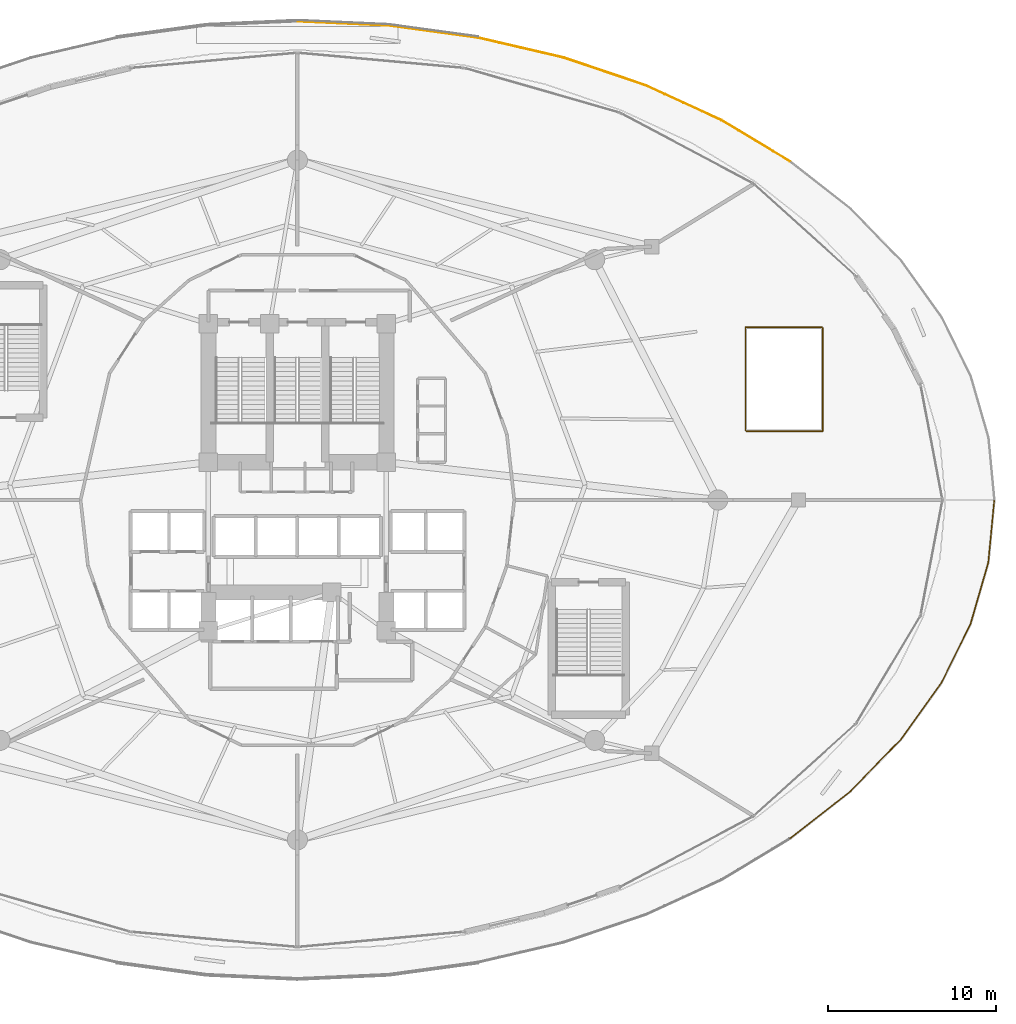
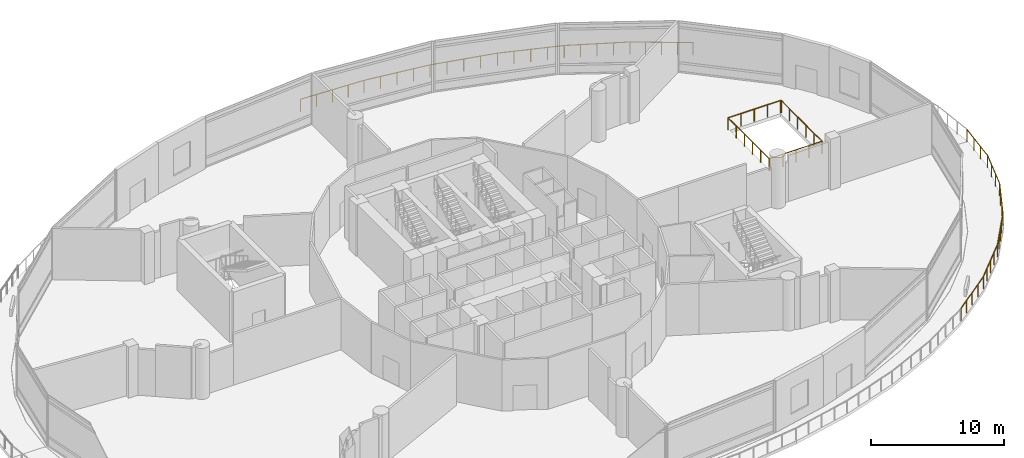
# One storey, part 36 of 37: 4 railings.
"""IFC4 building model written with IfcOpenShell, lengths in metres."""

from ifc_helpers import new_model, si_unit, direction, frame, origin, place, context, subcontext, project, spatial, polyline, outline, extrude, material, type_object, element, save


model = new_model("IFC4")

# Units and contexts
model_context = context("Model", 3, precision=1e-05, world=origin(), true_north=direction((0.0, 1.0)))
body_context = subcontext(model_context, "Body", "Model", "MODEL_VIEW")
ifc_project = project(units=[si_unit("LENGTHUNIT", "METRE"), si_unit("AREAUNIT", "SQUARE_METRE"), si_unit("VOLUMEUNIT", "CUBIC_METRE"), si_unit("PLANEANGLEUNIT", "RADIAN"), si_unit("MASSUNIT", "GRAM", prefix="KILO")], contexts=[model_context])

# Site, building, storey
site_placement = place(None, origin())
site = spatial("IfcSite", under=ifc_project, at=site_placement, CompositionType="ELEMENT")
building_placement = place(site_placement, origin())
building = spatial("IfcBuilding", under=site, at=building_placement, Name="Nuhasar Tower", CompositionType="ELEMENT")
storey_placement = place(building_placement, frame((0.0, 0.0, 6.0)))
storey = spatial("IfcBuildingStorey", under=building, at=storey_placement, Name="L01", CompositionType="ELEMENT", Elevation=6.0)

# Railings
ifc_material = material(Name="Steel S355", Category="steel")
railing_type = type_object("IfcRailingType", Name="RLG-TERR-1150", PredefinedType="BALUSTRADE", material=ifc_material)
railing_1_placement = place(storey_placement, frame((68.35888671875, 46.967041015625, 0.0)))
element("IfcRailing", 1, at=railing_1_placement, inside=storey, type_object=railing_type, Name="L01 Bustan Terrace Perimeter Balustrade 02", PredefinedType="BALUSTRADE", context=body_context, shape_type="SweptSolid", body=[
    extrude(outline(polyline([(0.024169921875, 0.0), (0.01708984375, 0.01708984375), (0.0, 0.024169921875), (-0.01708984375, 0.01708984375), (-0.024169921875, 0.0), (-0.01708984375, -0.01708984375), (0.0, -0.024169921875), (0.01708984375, -0.01708984375), (0.024169921875, 0.0)])), frame((0.0, 0.0, 1.1259765625), z_axis=(-0.856642068446, 0.515911200274, 0.0), x_axis=(-0.515911200274, -0.856642068446, 0.0)), (0.0, 0.0, 1.0), 4.766357421875),
    extrude(outline(polyline([(0.024169921875, 0.0), (0.01708984375, 0.01708984375), (0.0, 0.024169921875), (-0.01708984375, 0.01708984375), (-0.024169921875, 0.0), (-0.01708984375, -0.01708984375), (0.0, -0.024169921875), (0.01708984375, -0.01708984375), (0.024169921875, 0.0)])), frame((-4.0830078125, 2.458984375, 1.1259765625), z_axis=(-0.908818857155, 0.417190945348, 0.0), x_axis=(-0.417190945348, -0.908818857155, 0.0)), (0.0, 0.0, 1.0), 4.968994140625),
    extrude(outline(polyline([(0.024169921875, 0.0), (0.01708984375, 0.01708984375), (0.0, 0.024169921875), (-0.01708984375, 0.01708984375), (-0.024169921875, 0.0), (-0.01708984375, -0.01708984375), (0.0, -0.024169921875), (0.01708984375, -0.01708984375), (0.024169921875, 0.0)])), frame((-8.598876953125, 4.531982421875, 1.1259765625), z_axis=(-0.947143645035, 0.320809781132, 0.0), x_axis=(-0.320809781132, -0.947143645035, 0.0)), (0.0, 0.0, 1.0), 5.142822265625),
    extrude(outline(polyline([(0.024169921875, 0.0), (0.01708984375, 0.01708984375), (0.0, 0.024169921875), (-0.01708984375, 0.01708984375), (-0.024169921875, 0.0), (-0.01708984375, -0.01708984375), (0.0, -0.024169921875), (0.01708984375, -0.01708984375), (0.024169921875, 0.0)])), frame((-13.469970703125, 6.181884765625, 1.1259765625), z_axis=(-0.973883819877, 0.227046923305, 0.0), x_axis=(-0.227046923305, -0.973883819877, 0.0)), (0.0, 0.0, 1.0), 5.28076171875),
    extrude(outline(polyline([(0.024169921875, 0.0), (0.01708984375, 0.01708984375), (0.0, 0.024169921875), (-0.01708984375, 0.01708984375), (-0.024169921875, 0.0), (-0.01708984375, -0.01708984375), (0.0, -0.024169921875), (0.01708984375, -0.01708984375), (0.024169921875, 0.0)])), frame((-18.61279296875, 7.380859375, 1.1259765625), z_axis=(-0.990790336006, 0.135404985425, 0.0), x_axis=(-0.135404985425, -0.990790336006, 0.0)), (0.0, 0.0, 1.0), 5.376708984375),
    extrude(outline(polyline([(0.024169921875, 0.0), (0.01708984375, 0.01708984375), (0.0, 0.024169921875), (-0.01708984375, 0.01708984375), (-0.024169921875, 0.0), (-0.01708984375, -0.01708984375), (0.0, -0.024169921875), (0.01708984375, -0.01708984375), (0.024169921875, 0.0)])), frame((-23.93994140625, 8.10888671875, 1.1259765625), z_axis=(-0.998987894499, 0.044979847102, 0.0), x_axis=(-0.044979847102, -0.998987894499, 0.0)), (0.0, 0.0, 1.0), 5.38427734375),
    extrude(outline(polyline([(0.02099609375, 0.0), (0.014892578125, 0.014892578125), (0.0, 0.02099609375), (-0.014892578125, 0.014892578125), (-0.02099609375, 0.0), (-0.014892578125, -0.014892578125), (0.0, -0.02099609375), (0.014892578125, -0.014892578125), (0.02099609375, 0.0)])), origin(), (0.0, 0.0, 1.0), 1.101806640625),
    extrude(outline(polyline([(0.02099609375, 0.0), (0.014892578125, 0.014892578125), (0.0, 0.02099609375), (-0.014892578125, 0.014892578125), (-0.02099609375, 0.0), (-0.014892578125, -0.014892578125), (0.0, -0.02099609375), (0.014892578125, -0.014892578125), (0.02099609375, 0.0)])), frame((-1.020751953125, 0.61474609375, 0.0)), (0.0, 0.0, 1.0), 1.101806640625),
    extrude(outline(polyline([(0.02099609375, 0.0), (0.014892578125, 0.014892578125), (0.0, 0.02099609375), (-0.014892578125, 0.014892578125), (-0.02099609375, 0.0), (-0.014892578125, -0.014892578125), (0.0, -0.02099609375), (0.014892578125, -0.014892578125), (0.02099609375, 0.0)])), frame((-2.04150390625, 1.2294921875, 0.0)), (0.0, 0.0, 1.0), 1.101806640625),
    extrude(outline(polyline([(0.02099609375, 0.0), (0.014892578125, 0.014892578125), (0.0, 0.02099609375), (-0.014892578125, 0.014892578125), (-0.02099609375, 0.0), (-0.014892578125, -0.014892578125), (0.0, -0.02099609375), (0.014892578125, -0.014892578125), (0.02099609375, 0.0)])), frame((-3.062255859375, 1.84423828125, 0.0)), (0.0, 0.0, 1.0), 1.101806640625),
    extrude(outline(polyline([(0.02099609375, 0.0), (0.014892578125, 0.014892578125), (0.0, 0.02099609375), (-0.014892578125, 0.014892578125), (-0.02099609375, 0.0), (-0.014892578125, -0.014892578125), (0.0, -0.02099609375), (0.014892578125, -0.014892578125), (0.02099609375, 0.0)])), frame((-4.0830078125, 2.458984375, 0.0)), (0.0, 0.0, 1.0), 1.101806640625),
    extrude(outline(polyline([(0.02099609375, 0.0), (0.014892578125, 0.014892578125), (0.0, 0.02099609375), (-0.014892578125, 0.014892578125), (-0.02099609375, 0.0), (-0.014892578125, -0.014892578125), (0.0, -0.02099609375), (0.014892578125, -0.014892578125), (0.02099609375, 0.0)])), frame((-5.2119140625, 2.977294921875, 0.0)), (0.0, 0.0, 1.0), 1.101806640625),
    extrude(outline(polyline([(0.02099609375, 0.0), (0.014892578125, 0.014892578125), (0.0, 0.02099609375), (-0.014892578125, 0.014892578125), (-0.02099609375, 0.0), (-0.014892578125, -0.014892578125), (0.0, -0.02099609375), (0.014892578125, -0.014892578125), (0.02099609375, 0.0)])), frame((-6.3408203125, 3.49560546875, 0.0)), (0.0, 0.0, 1.0), 1.101806640625),
    extrude(outline(polyline([(0.02099609375, 0.0), (0.014892578125, 0.014892578125), (0.0, 0.02099609375), (-0.014892578125, 0.014892578125), (-0.02099609375, 0.0), (-0.014892578125, -0.014892578125), (0.0, -0.02099609375), (0.014892578125, -0.014892578125), (0.02099609375, 0.0)])), frame((-7.469970703125, 4.013671875, 0.0)), (0.0, 0.0, 1.0), 1.101806640625),
    extrude(outline(polyline([(0.02099609375, 0.0), (0.014892578125, 0.014892578125), (0.0, 0.02099609375), (-0.014892578125, 0.014892578125), (-0.02099609375, 0.0), (-0.014892578125, -0.014892578125), (0.0, -0.02099609375), (0.014892578125, -0.014892578125), (0.02099609375, 0.0)])), frame((-8.598876953125, 4.531982421875, 0.0)), (0.0, 0.0, 1.0), 1.101806640625),
    extrude(outline(polyline([(0.02099609375, 0.0), (0.014892578125, 0.014892578125), (0.0, 0.02099609375), (-0.014892578125, 0.014892578125), (-0.02099609375, 0.0), (-0.014892578125, -0.014892578125), (0.0, -0.02099609375), (0.014892578125, -0.014892578125), (0.02099609375, 0.0)])), frame((-9.816650390625, 4.9443359375, 0.0)), (0.0, 0.0, 1.0), 1.101806640625),
    extrude(outline(polyline([(0.02099609375, 0.0), (0.014892578125, 0.014892578125), (0.0, 0.02099609375), (-0.014892578125, 0.014892578125), (-0.02099609375, 0.0), (-0.014892578125, -0.014892578125), (0.0, -0.02099609375), (0.014892578125, -0.014892578125), (0.02099609375, 0.0)])), frame((-11.034423828125, 5.35693359375, 0.0)), (0.0, 0.0, 1.0), 1.101806640625),
    extrude(outline(polyline([(0.02099609375, 0.0), (0.014892578125, 0.014892578125), (0.0, 0.02099609375), (-0.014892578125, 0.014892578125), (-0.02099609375, 0.0), (-0.014892578125, -0.014892578125), (0.0, -0.02099609375), (0.014892578125, -0.014892578125), (0.02099609375, 0.0)])), frame((-12.252197265625, 5.76953125, 0.0)), (0.0, 0.0, 1.0), 1.101806640625),
    extrude(outline(polyline([(0.02099609375, 0.0), (0.014892578125, 0.014892578125), (0.0, 0.02099609375), (-0.014892578125, 0.014892578125), (-0.02099609375, 0.0), (-0.014892578125, -0.014892578125), (0.0, -0.02099609375), (0.014892578125, -0.014892578125), (0.02099609375, 0.0)])), frame((-13.469970703125, 6.181884765625, 0.0)), (0.0, 0.0, 1.0), 1.101806640625),
    extrude(outline(polyline([(0.02099609375, 0.0), (0.014892578125, 0.014892578125), (0.0, 0.02099609375), (-0.014892578125, 0.014892578125), (-0.02099609375, 0.0), (-0.014892578125, -0.014892578125), (0.0, -0.02099609375), (0.014892578125, -0.014892578125), (0.02099609375, 0.0)])), frame((-14.755615234375, 6.481689453125, 0.0)), (0.0, 0.0, 1.0), 1.101806640625),
    extrude(outline(polyline([(0.02099609375, 0.0), (0.014892578125, 0.014892578125), (0.0, 0.02099609375), (-0.014892578125, 0.014892578125), (-0.02099609375, 0.0), (-0.014892578125, -0.014892578125), (0.0, -0.02099609375), (0.014892578125, -0.014892578125), (0.02099609375, 0.0)])), frame((-16.04150390625, 6.78125, 0.0)), (0.0, 0.0, 1.0), 1.101806640625),
    extrude(outline(polyline([(0.02099609375, 0.0), (0.014892578125, 0.014892578125), (0.0, 0.02099609375), (-0.014892578125, 0.014892578125), (-0.02099609375, 0.0), (-0.014892578125, -0.014892578125), (0.0, -0.02099609375), (0.014892578125, -0.014892578125), (0.02099609375, 0.0)])), frame((-17.3271484375, 7.0810546875, 0.0)), (0.0, 0.0, 1.0), 1.101806640625),
    extrude(outline(polyline([(0.02099609375, 0.0), (0.014892578125, 0.014892578125), (0.0, 0.02099609375), (-0.014892578125, 0.014892578125), (-0.02099609375, 0.0), (-0.014892578125, -0.014892578125), (0.0, -0.02099609375), (0.014892578125, -0.014892578125), (0.02099609375, 0.0)])), frame((-18.61279296875, 7.380859375, 0.0)), (0.0, 0.0, 1.0), 1.101806640625),
    extrude(outline(polyline([(0.02099609375, 0.0), (0.014892578125, 0.014892578125), (0.0, 0.02099609375), (-0.014892578125, 0.014892578125), (-0.02099609375, 0.0), (-0.014892578125, -0.014892578125), (0.0, -0.02099609375), (0.014892578125, -0.014892578125), (0.02099609375, 0.0)])), frame((-19.944580078125, 7.56298828125, 0.0)), (0.0, 0.0, 1.0), 1.101806640625),
    extrude(outline(polyline([(0.02099609375, 0.0), (0.014892578125, 0.014892578125), (0.0, 0.02099609375), (-0.014892578125, 0.014892578125), (-0.02099609375, 0.0), (-0.014892578125, -0.014892578125), (0.0, -0.02099609375), (0.014892578125, -0.014892578125), (0.02099609375, 0.0)])), frame((-21.2763671875, 7.744873046875, 0.0)), (0.0, 0.0, 1.0), 1.101806640625),
    extrude(outline(polyline([(0.02099609375, 0.0), (0.014892578125, 0.014892578125), (0.0, 0.02099609375), (-0.014892578125, 0.014892578125), (-0.02099609375, 0.0), (-0.014892578125, -0.014892578125), (0.0, -0.02099609375), (0.014892578125, -0.014892578125), (0.02099609375, 0.0)])), frame((-22.608154296875, 7.9267578125, 0.0)), (0.0, 0.0, 1.0), 1.101806640625),
    extrude(outline(polyline([(0.02099609375, 0.0), (0.014892578125, 0.014892578125), (0.0, 0.02099609375), (-0.014892578125, 0.014892578125), (-0.02099609375, 0.0), (-0.014892578125, -0.014892578125), (0.0, -0.02099609375), (0.014892578125, -0.014892578125), (0.02099609375, 0.0)])), frame((-23.93994140625, 8.10888671875, 0.0)), (0.0, 0.0, 1.0), 1.101806640625),
    extrude(outline(polyline([(0.02099609375, 0.0), (0.014892578125, 0.014892578125), (0.0, 0.02099609375), (-0.014892578125, 0.014892578125), (-0.02099609375, 0.0), (-0.014892578125, -0.014892578125), (0.0, -0.02099609375), (0.014892578125, -0.014892578125), (0.02099609375, 0.0)])), frame((-25.28466796875, 8.16943359375, 0.0)), (0.0, 0.0, 1.0), 1.101806640625),
    extrude(outline(polyline([(0.02099609375, 0.0), (0.014892578125, 0.014892578125), (0.0, 0.02099609375), (-0.014892578125, 0.014892578125), (-0.02099609375, 0.0), (-0.014892578125, -0.014892578125), (0.0, -0.02099609375), (0.014892578125, -0.014892578125), (0.02099609375, 0.0)])), frame((-26.62939453125, 8.22998046875, 0.0)), (0.0, 0.0, 1.0), 1.101806640625),
    extrude(outline(polyline([(0.02099609375, 0.0), (0.014892578125, 0.014892578125), (0.0, 0.02099609375), (-0.014892578125, 0.014892578125), (-0.02099609375, 0.0), (-0.014892578125, -0.014892578125), (0.0, -0.02099609375), (0.014892578125, -0.014892578125), (0.02099609375, 0.0)])), frame((-27.97412109375, 8.29052734375, 0.0)), (0.0, 0.0, 1.0), 1.101806640625),
    extrude(outline(polyline([(0.02099609375, 0.0), (0.014892578125, 0.014892578125), (0.0, 0.02099609375), (-0.014892578125, 0.014892578125), (-0.02099609375, 0.0), (-0.014892578125, -0.014892578125), (0.0, -0.02099609375), (0.014892578125, -0.014892578125), (0.02099609375, 0.0)])), frame((-29.31884765625, 8.35107421875, 0.0)), (0.0, 0.0, 1.0), 1.101806640625),
])
railing_2_placement = place(storey_placement, frame((68.35888671875, 6.633056640625, 0.0)))
element("IfcRailing", 2, at=railing_2_placement, inside=storey, type_object=railing_type, Name="L01 Bustan Terrace Perimeter Balustrade 08", PredefinedType="BALUSTRADE", context=body_context, shape_type="SweptSolid", body=[
    extrude(outline(polyline([(0.024169921875, 0.0), (0.01708984375, 0.01708984375), (0.0, 0.024169921875), (-0.01708984375, 0.01708984375), (-0.024169921875, 0.0), (-0.01708984375, -0.01708984375), (0.0, -0.024169921875), (0.01708984375, -0.01708984375), (0.024169921875, 0.0)])), frame((0.0, 0.0, 1.1259765625), z_axis=(0.787252370902, 0.616630930549, 0.0), x_axis=(-0.616630930549, 0.787252370902, 0.0)), (0.0, 0.0, 1.0), 4.548828125),
    extrude(outline(polyline([(0.024169921875, 0.0), (0.01708984375, 0.01708984375), (0.0, 0.024169921875), (-0.01708984375, 0.01708984375), (-0.024169921875, 0.0), (-0.01708984375, -0.01708984375), (0.0, -0.024169921875), (0.01708984375, -0.01708984375), (0.024169921875, 0.0)])), frame((3.5810546875, 2.804931640625, 1.1259765625), z_axis=(0.697221787031, 0.716855480337, 0.0), x_axis=(-0.716855480337, 0.697221787031, 0.0)), (0.0, 0.0, 1.0), 4.327392578125),
    extrude(outline(polyline([(0.024169921875, 0.0), (0.01708984375, 0.01708984375), (0.0, 0.024169921875), (-0.01708984375, 0.01708984375), (-0.024169921875, 0.0), (-0.01708984375, -0.01708984375), (0.0, -0.024169921875), (0.01708984375, -0.01708984375), (0.024169921875, 0.0)])), frame((6.59814453125, 5.906982421875, 1.1259765625), z_axis=(0.583148612261, 0.812365494108, 0.0), x_axis=(-0.812365494108, 0.583148612261, 0.0)), (0.0, 0.0, 1.0), 4.11865234375),
    extrude(outline(polyline([(0.024169921875, 0.0), (0.01708984375, 0.01708984375), (0.0, 0.024169921875), (-0.01708984375, 0.01708984375), (-0.024169921875, 0.0), (-0.01708984375, -0.01708984375), (0.0, -0.024169921875), (0.01708984375, -0.01708984375), (0.024169921875, 0.0)])), frame((9.0, 9.2529296875, 1.1259765625), z_axis=(0.443168958326, 0.896438104041, 0.0), x_axis=(-0.896438104041, 0.443168958326, 0.0)), (0.0, 0.0, 1.0), 3.93994140625),
    extrude(outline(polyline([(0.024169921875, 0.0), (0.01708984375, 0.01708984375), (0.0, 0.024169921875), (-0.01708984375, 0.01708984375), (-0.024169921875, 0.0), (-0.01708984375, -0.01708984375), (0.0, -0.024169921875), (0.01708984375, -0.01708984375), (0.024169921875, 0.0)])), frame((10.74609375, 12.784912109375, 1.1259765625), z_axis=(0.278274374936, 0.960501625326, 0.0), x_axis=(-0.960501625326, 0.278274374936, 0.0)), (0.0, 0.0, 1.0), 3.809326171875),
    extrude(outline(polyline([(0.024169921875, 0.0), (0.01708984375, 0.01708984375), (0.0, 0.024169921875), (-0.01708984375, 0.01708984375), (-0.024169921875, 0.0), (-0.01708984375, -0.01708984375), (0.0, -0.024169921875), (0.01708984375, -0.01708984375), (0.024169921875, 0.0)])), frame((11.80615234375, 16.44384765625, 1.1259765625), z_axis=(0.09489005678, 0.9954877584, 0.0), x_axis=(-0.9954877584, 0.09489005678, 0.0)), (0.0, 0.0, 1.0), 3.69970703125),
    extrude(outline(polyline([(0.02099609375, 0.0), (0.014892578125, 0.014892578125), (0.0, 0.02099609375), (-0.014892578125, 0.014892578125), (-0.02099609375, 0.0), (-0.014892578125, -0.014892578125), (0.0, -0.02099609375), (0.014892578125, -0.014892578125), (0.02099609375, 0.0)])), origin(), (0.0, 0.0, 1.0), 1.101806640625),
    extrude(outline(polyline([(0.02099609375, 0.0), (0.014892578125, 0.014892578125), (0.0, 0.02099609375), (-0.014892578125, 0.014892578125), (-0.02099609375, 0.0), (-0.014892578125, -0.014892578125), (0.0, -0.02099609375), (0.014892578125, -0.014892578125), (0.02099609375, 0.0)])), frame((0.895263671875, 0.701171875, 0.0)), (0.0, 0.0, 1.0), 1.101806640625),
    extrude(outline(polyline([(0.02099609375, 0.0), (0.014892578125, 0.014892578125), (0.0, 0.02099609375), (-0.014892578125, 0.014892578125), (-0.02099609375, 0.0), (-0.014892578125, -0.014892578125), (0.0, -0.02099609375), (0.014892578125, -0.014892578125), (0.02099609375, 0.0)])), frame((1.79052734375, 1.40234375, 0.0)), (0.0, 0.0, 1.0), 1.101806640625),
    extrude(outline(polyline([(0.02099609375, 0.0), (0.014892578125, 0.014892578125), (0.0, 0.02099609375), (-0.014892578125, 0.014892578125), (-0.02099609375, 0.0), (-0.014892578125, -0.014892578125), (0.0, -0.02099609375), (0.014892578125, -0.014892578125), (0.02099609375, 0.0)])), frame((2.685791015625, 2.103759765625, 0.0)), (0.0, 0.0, 1.0), 1.101806640625),
    extrude(outline(polyline([(0.02099609375, 0.0), (0.014892578125, 0.014892578125), (0.0, 0.02099609375), (-0.014892578125, 0.014892578125), (-0.02099609375, 0.0), (-0.014892578125, -0.014892578125), (0.0, -0.02099609375), (0.014892578125, -0.014892578125), (0.02099609375, 0.0)])), frame((3.5810546875, 2.804931640625, 0.0)), (0.0, 0.0, 1.0), 1.101806640625),
    extrude(outline(polyline([(0.02099609375, 0.0), (0.014892578125, 0.014892578125), (0.0, 0.02099609375), (-0.014892578125, 0.014892578125), (-0.02099609375, 0.0), (-0.014892578125, -0.014892578125), (0.0, -0.02099609375), (0.014892578125, -0.014892578125), (0.02099609375, 0.0)])), frame((4.33544921875, 3.58056640625, 0.0)), (0.0, 0.0, 1.0), 1.101806640625),
    extrude(outline(polyline([(0.02099609375, 0.0), (0.014892578125, 0.014892578125), (0.0, 0.02099609375), (-0.014892578125, 0.014892578125), (-0.02099609375, 0.0), (-0.014892578125, -0.014892578125), (0.0, -0.02099609375), (0.014892578125, -0.014892578125), (0.02099609375, 0.0)])), frame((5.089599609375, 4.35595703125, 0.0)), (0.0, 0.0, 1.0), 1.101806640625),
    extrude(outline(polyline([(0.02099609375, 0.0), (0.014892578125, 0.014892578125), (0.0, 0.02099609375), (-0.014892578125, 0.014892578125), (-0.02099609375, 0.0), (-0.014892578125, -0.014892578125), (0.0, -0.02099609375), (0.014892578125, -0.014892578125), (0.02099609375, 0.0)])), frame((5.84375, 5.13134765625, 0.0)), (0.0, 0.0, 1.0), 1.101806640625),
    extrude(outline(polyline([(0.02099609375, 0.0), (0.014892578125, 0.014892578125), (0.0, 0.02099609375), (-0.014892578125, 0.014892578125), (-0.02099609375, 0.0), (-0.014892578125, -0.014892578125), (0.0, -0.02099609375), (0.014892578125, -0.014892578125), (0.02099609375, 0.0)])), frame((6.59814453125, 5.906982421875, 0.0)), (0.0, 0.0, 1.0), 1.101806640625),
    extrude(outline(polyline([(0.02099609375, 0.0), (0.014892578125, 0.014892578125), (0.0, 0.02099609375), (-0.014892578125, 0.014892578125), (-0.02099609375, 0.0), (-0.014892578125, -0.014892578125), (0.0, -0.02099609375), (0.014892578125, -0.014892578125), (0.02099609375, 0.0)])), frame((7.19873046875, 6.743408203125, 0.0)), (0.0, 0.0, 1.0), 1.101806640625),
    extrude(outline(polyline([(0.02099609375, 0.0), (0.014892578125, 0.014892578125), (0.0, 0.02099609375), (-0.014892578125, 0.014892578125), (-0.02099609375, 0.0), (-0.014892578125, -0.014892578125), (0.0, -0.02099609375), (0.014892578125, -0.014892578125), (0.02099609375, 0.0)])), frame((7.799072265625, 7.580078125, 0.0)), (0.0, 0.0, 1.0), 1.101806640625),
    extrude(outline(polyline([(0.02099609375, 0.0), (0.014892578125, 0.014892578125), (0.0, 0.02099609375), (-0.014892578125, 0.014892578125), (-0.02099609375, 0.0), (-0.014892578125, -0.014892578125), (0.0, -0.02099609375), (0.014892578125, -0.014892578125), (0.02099609375, 0.0)])), frame((8.3994140625, 8.41650390625, 0.0)), (0.0, 0.0, 1.0), 1.101806640625),
    extrude(outline(polyline([(0.02099609375, 0.0), (0.014892578125, 0.014892578125), (0.0, 0.02099609375), (-0.014892578125, 0.014892578125), (-0.02099609375, 0.0), (-0.014892578125, -0.014892578125), (0.0, -0.02099609375), (0.014892578125, -0.014892578125), (0.02099609375, 0.0)])), frame((9.0, 9.2529296875, 0.0)), (0.0, 0.0, 1.0), 1.101806640625),
    extrude(outline(polyline([(0.02099609375, 0.0), (0.014892578125, 0.014892578125), (0.0, 0.02099609375), (-0.014892578125, 0.014892578125), (-0.02099609375, 0.0), (-0.014892578125, -0.014892578125), (0.0, -0.02099609375), (0.014892578125, -0.014892578125), (0.02099609375, 0.0)])), frame((9.58203125, 10.43017578125, 0.0)), (0.0, 0.0, 1.0), 1.101806640625),
    extrude(outline(polyline([(0.02099609375, 0.0), (0.014892578125, 0.014892578125), (0.0, 0.02099609375), (-0.014892578125, 0.014892578125), (-0.02099609375, 0.0), (-0.014892578125, -0.014892578125), (0.0, -0.02099609375), (0.014892578125, -0.014892578125), (0.02099609375, 0.0)])), frame((10.1640625, 11.607666015625, 0.0)), (0.0, 0.0, 1.0), 1.101806640625),
    extrude(outline(polyline([(0.02099609375, 0.0), (0.014892578125, 0.014892578125), (0.0, 0.02099609375), (-0.014892578125, 0.014892578125), (-0.02099609375, 0.0), (-0.014892578125, -0.014892578125), (0.0, -0.02099609375), (0.014892578125, -0.014892578125), (0.02099609375, 0.0)])), frame((10.74609375, 12.784912109375, 0.0)), (0.0, 0.0, 1.0), 1.101806640625),
    extrude(outline(polyline([(0.02099609375, 0.0), (0.014892578125, 0.014892578125), (0.0, 0.02099609375), (-0.014892578125, 0.014892578125), (-0.02099609375, 0.0), (-0.014892578125, -0.014892578125), (0.0, -0.02099609375), (0.014892578125, -0.014892578125), (0.02099609375, 0.0)])), frame((11.099365234375, 14.004638671875, 0.0)), (0.0, 0.0, 1.0), 1.101806640625),
    extrude(outline(polyline([(0.02099609375, 0.0), (0.014892578125, 0.014892578125), (0.0, 0.02099609375), (-0.014892578125, 0.014892578125), (-0.02099609375, 0.0), (-0.014892578125, -0.014892578125), (0.0, -0.02099609375), (0.014892578125, -0.014892578125), (0.02099609375, 0.0)])), frame((11.452880859375, 15.22412109375, 0.0)), (0.0, 0.0, 1.0), 1.101806640625),
    extrude(outline(polyline([(0.02099609375, 0.0), (0.014892578125, 0.014892578125), (0.0, 0.02099609375), (-0.014892578125, 0.014892578125), (-0.02099609375, 0.0), (-0.014892578125, -0.014892578125), (0.0, -0.02099609375), (0.014892578125, -0.014892578125), (0.02099609375, 0.0)])), frame((11.80615234375, 16.44384765625, 0.0)), (0.0, 0.0, 1.0), 1.101806640625),
    extrude(outline(polyline([(0.02099609375, 0.0), (0.014892578125, 0.014892578125), (0.0, 0.02099609375), (-0.014892578125, 0.014892578125), (-0.02099609375, 0.0), (-0.014892578125, -0.014892578125), (0.0, -0.02099609375), (0.014892578125, -0.014892578125), (0.02099609375, 0.0)])), frame((11.923095703125, 17.671630859375, 0.0)), (0.0, 0.0, 1.0), 1.101806640625),
    extrude(outline(polyline([(0.02099609375, 0.0), (0.014892578125, 0.014892578125), (0.0, 0.02099609375), (-0.014892578125, 0.014892578125), (-0.02099609375, 0.0), (-0.014892578125, -0.014892578125), (0.0, -0.02099609375), (0.014892578125, -0.014892578125), (0.02099609375, 0.0)])), frame((12.040283203125, 18.899169921875, 0.0)), (0.0, 0.0, 1.0), 1.101806640625),
    extrude(outline(polyline([(0.02099609375, 0.0), (0.014892578125, 0.014892578125), (0.0, 0.02099609375), (-0.014892578125, 0.014892578125), (-0.02099609375, 0.0), (-0.014892578125, -0.014892578125), (0.0, -0.02099609375), (0.014892578125, -0.014892578125), (0.02099609375, 0.0)])), frame((12.1572265625, 20.126953125, 0.0)), (0.0, 0.0, 1.0), 1.101806640625),
])
railing_3_placement = place(storey_placement, frame((65.699951171875, 30.949951171875, 0.0)))
element("IfcRailing", 3, at=railing_3_placement, inside=storey, type_object=railing_type, Name="L01 Atrium Gallery Edge Guardrail West-North", PredefinedType="BALUSTRADE", context=body_context, shape_type="SweptSolid", body=[
    extrude(outline(polyline([(0.024169921875, 0.0), (0.01708984375, 0.01708984375), (0.0, 0.024169921875), (-0.01708984375, 0.01708984375), (-0.024169921875, 0.0), (-0.01708984375, -0.01708984375), (0.0, -0.024169921875), (0.01708984375, -0.01708984375), (0.024169921875, 0.0)])), frame((0.0, 0.0, 1.1259765625), z_axis=(0.0, 1.0, 0.0), x_axis=(-1.0, 0.0, 0.0)), (0.0, 0.0, 1.0), 6.150146484375),
    extrude(outline(polyline([(0.024169921875, 0.0), (0.01708984375, 0.01708984375), (0.0, 0.024169921875), (-0.01708984375, 0.01708984375), (-0.024169921875, 0.0), (-0.01708984375, -0.01708984375), (0.0, -0.024169921875), (0.01708984375, -0.01708984375), (0.024169921875, 0.0)])), frame((0.0, 6.150146484375, 1.1259765625), z_axis=(1.0, 0.0, 0.0), x_axis=(0.0, 1.0, 0.0)), (0.0, 0.0, 1.0), 4.550048828125),
    extrude(outline(polyline([(0.02099609375, 0.0), (0.014892578125, 0.014892578125), (0.0, 0.02099609375), (-0.014892578125, 0.014892578125), (-0.02099609375, 0.0), (-0.014892578125, -0.014892578125), (0.0, -0.02099609375), (0.014892578125, -0.014892578125), (0.02099609375, 0.0)])), origin(), (0.0, 0.0, 1.0), 1.101806640625),
    extrude(outline(polyline([(0.02099609375, 0.0), (0.014892578125, 0.014892578125), (0.0, 0.02099609375), (-0.014892578125, 0.014892578125), (-0.02099609375, 0.0), (-0.014892578125, -0.014892578125), (0.0, -0.02099609375), (0.014892578125, -0.014892578125), (0.02099609375, 0.0)])), frame((0.0, 1.22998046875, 0.0)), (0.0, 0.0, 1.0), 1.101806640625),
    extrude(outline(polyline([(0.02099609375, 0.0), (0.014892578125, 0.014892578125), (0.0, 0.02099609375), (-0.014892578125, 0.014892578125), (-0.02099609375, 0.0), (-0.014892578125, -0.014892578125), (0.0, -0.02099609375), (0.014892578125, -0.014892578125), (0.02099609375, 0.0)])), frame((0.0, 2.4599609375, 0.0)), (0.0, 0.0, 1.0), 1.101806640625),
    extrude(outline(polyline([(0.02099609375, 0.0), (0.014892578125, 0.014892578125), (0.0, 0.02099609375), (-0.014892578125, 0.014892578125), (-0.02099609375, 0.0), (-0.014892578125, -0.014892578125), (0.0, -0.02099609375), (0.014892578125, -0.014892578125), (0.02099609375, 0.0)])), frame((0.0, 3.690185546875, 0.0)), (0.0, 0.0, 1.0), 1.101806640625),
    extrude(outline(polyline([(0.02099609375, 0.0), (0.014892578125, 0.014892578125), (0.0, 0.02099609375), (-0.014892578125, 0.014892578125), (-0.02099609375, 0.0), (-0.014892578125, -0.014892578125), (0.0, -0.02099609375), (0.014892578125, -0.014892578125), (0.02099609375, 0.0)])), frame((0.0, 4.920166015625, 0.0)), (0.0, 0.0, 1.0), 1.101806640625),
    extrude(outline(polyline([(0.02099609375, 0.0), (0.014892578125, 0.014892578125), (0.0, 0.02099609375), (-0.014892578125, 0.014892578125), (-0.02099609375, 0.0), (-0.014892578125, -0.014892578125), (0.0, -0.02099609375), (0.014892578125, -0.014892578125), (0.02099609375, 0.0)])), frame((0.0, 6.150146484375, 0.0)), (0.0, 0.0, 1.0), 1.101806640625),
    extrude(outline(polyline([(0.02099609375, 0.0), (0.014892578125, 0.014892578125), (0.0, 0.02099609375), (-0.014892578125, 0.014892578125), (-0.02099609375, 0.0), (-0.014892578125, -0.014892578125), (0.0, -0.02099609375), (0.014892578125, -0.014892578125), (0.02099609375, 0.0)])), frame((1.137451171875, 6.150146484375, 0.0)), (0.0, 0.0, 1.0), 1.101806640625),
    extrude(outline(polyline([(0.02099609375, 0.0), (0.014892578125, 0.014892578125), (0.0, 0.02099609375), (-0.014892578125, 0.014892578125), (-0.02099609375, 0.0), (-0.014892578125, -0.014892578125), (0.0, -0.02099609375), (0.014892578125, -0.014892578125), (0.02099609375, 0.0)])), frame((2.27490234375, 6.150146484375, 0.0)), (0.0, 0.0, 1.0), 1.101806640625),
    extrude(outline(polyline([(0.02099609375, 0.0), (0.014892578125, 0.014892578125), (0.0, 0.02099609375), (-0.014892578125, 0.014892578125), (-0.02099609375, 0.0), (-0.014892578125, -0.014892578125), (0.0, -0.02099609375), (0.014892578125, -0.014892578125), (0.02099609375, 0.0)])), frame((3.41259765625, 6.150146484375, 0.0)), (0.0, 0.0, 1.0), 1.101806640625),
    extrude(outline(polyline([(0.02099609375, 0.0), (0.014892578125, 0.014892578125), (0.0, 0.02099609375), (-0.014892578125, 0.014892578125), (-0.02099609375, 0.0), (-0.014892578125, -0.014892578125), (0.0, -0.02099609375), (0.014892578125, -0.014892578125), (0.02099609375, 0.0)])), frame((4.550048828125, 6.150146484375, 0.0)), (0.0, 0.0, 1.0), 1.101806640625),
])
railing_4_placement = place(storey_placement, frame((70.300048828125, 37.050048828125, 0.0)))
element("IfcRailing", 4, at=railing_4_placement, inside=storey, type_object=railing_type, Name="L01 Atrium Gallery Edge Guardrail East-South", PredefinedType="BALUSTRADE", context=body_context, shape_type="SweptSolid", body=[
    extrude(outline(polyline([(0.024169921875, 0.0), (0.01708984375, 0.01708984375), (0.0, 0.024169921875), (-0.01708984375, 0.01708984375), (-0.024169921875, 0.0), (-0.01708984375, -0.01708984375), (0.0, -0.024169921875), (0.01708984375, -0.01708984375), (0.024169921875, 0.0)])), frame((0.0, 0.0, 1.1259765625), z_axis=(0.0, -1.0, 0.0), x_axis=(1.0, 0.0, 0.0)), (0.0, 0.0, 1.0), 6.150146484375),
    extrude(outline(polyline([(0.024169921875, 0.0), (0.01708984375, 0.01708984375), (0.0, 0.024169921875), (-0.01708984375, 0.01708984375), (-0.024169921875, 0.0), (-0.01708984375, -0.01708984375), (0.0, -0.024169921875), (0.01708984375, -0.01708984375), (0.024169921875, 0.0)])), frame((0.0, -6.150146484375, 1.1259765625), z_axis=(-1.0, 0.0, 0.0), x_axis=(0.0, -1.0, 0.0)), (0.0, 0.0, 1.0), 4.550048828125),
    extrude(outline(polyline([(0.02099609375, 0.0), (0.014892578125, 0.014892578125), (0.0, 0.02099609375), (-0.014892578125, 0.014892578125), (-0.02099609375, 0.0), (-0.014892578125, -0.014892578125), (0.0, -0.02099609375), (0.014892578125, -0.014892578125), (0.02099609375, 0.0)])), origin(), (0.0, 0.0, 1.0), 1.101806640625),
    extrude(outline(polyline([(0.02099609375, 0.0), (0.014892578125, 0.014892578125), (0.0, 0.02099609375), (-0.014892578125, 0.014892578125), (-0.02099609375, 0.0), (-0.014892578125, -0.014892578125), (0.0, -0.02099609375), (0.014892578125, -0.014892578125), (0.02099609375, 0.0)])), frame((0.0, -1.22998046875, 0.0)), (0.0, 0.0, 1.0), 1.101806640625),
    extrude(outline(polyline([(0.02099609375, 0.0), (0.014892578125, 0.014892578125), (0.0, 0.02099609375), (-0.014892578125, 0.014892578125), (-0.02099609375, 0.0), (-0.014892578125, -0.014892578125), (0.0, -0.02099609375), (0.014892578125, -0.014892578125), (0.02099609375, 0.0)])), frame((0.0, -2.4599609375, 0.0)), (0.0, 0.0, 1.0), 1.101806640625),
    extrude(outline(polyline([(0.02099609375, 0.0), (0.014892578125, 0.014892578125), (0.0, 0.02099609375), (-0.014892578125, 0.014892578125), (-0.02099609375, 0.0), (-0.014892578125, -0.014892578125), (0.0, -0.02099609375), (0.014892578125, -0.014892578125), (0.02099609375, 0.0)])), frame((0.0, -3.690185546875, 0.0)), (0.0, 0.0, 1.0), 1.101806640625),
    extrude(outline(polyline([(0.02099609375, 0.0), (0.014892578125, 0.014892578125), (0.0, 0.02099609375), (-0.014892578125, 0.014892578125), (-0.02099609375, 0.0), (-0.014892578125, -0.014892578125), (0.0, -0.02099609375), (0.014892578125, -0.014892578125), (0.02099609375, 0.0)])), frame((0.0, -4.920166015625, 0.0)), (0.0, 0.0, 1.0), 1.101806640625),
    extrude(outline(polyline([(0.02099609375, 0.0), (0.014892578125, 0.014892578125), (0.0, 0.02099609375), (-0.014892578125, 0.014892578125), (-0.02099609375, 0.0), (-0.014892578125, -0.014892578125), (0.0, -0.02099609375), (0.014892578125, -0.014892578125), (0.02099609375, 0.0)])), frame((0.0, -6.150146484375, 0.0)), (0.0, 0.0, 1.0), 1.101806640625),
    extrude(outline(polyline([(0.02099609375, 0.0), (0.014892578125, 0.014892578125), (0.0, 0.02099609375), (-0.014892578125, 0.014892578125), (-0.02099609375, 0.0), (-0.014892578125, -0.014892578125), (0.0, -0.02099609375), (0.014892578125, -0.014892578125), (0.02099609375, 0.0)])), frame((-1.137451171875, -6.150146484375, 0.0)), (0.0, 0.0, 1.0), 1.101806640625),
    extrude(outline(polyline([(0.02099609375, 0.0), (0.014892578125, 0.014892578125), (0.0, 0.02099609375), (-0.014892578125, 0.014892578125), (-0.02099609375, 0.0), (-0.014892578125, -0.014892578125), (0.0, -0.02099609375), (0.014892578125, -0.014892578125), (0.02099609375, 0.0)])), frame((-2.27490234375, -6.150146484375, 0.0)), (0.0, 0.0, 1.0), 1.101806640625),
    extrude(outline(polyline([(0.02099609375, 0.0), (0.014892578125, 0.014892578125), (0.0, 0.02099609375), (-0.014892578125, 0.014892578125), (-0.02099609375, 0.0), (-0.014892578125, -0.014892578125), (0.0, -0.02099609375), (0.014892578125, -0.014892578125), (0.02099609375, 0.0)])), frame((-3.41259765625, -6.150146484375, 0.0)), (0.0, 0.0, 1.0), 1.101806640625),
    extrude(outline(polyline([(0.02099609375, 0.0), (0.014892578125, 0.014892578125), (0.0, 0.02099609375), (-0.014892578125, 0.014892578125), (-0.02099609375, 0.0), (-0.014892578125, -0.014892578125), (0.0, -0.02099609375), (0.014892578125, -0.014892578125), (0.02099609375, 0.0)])), frame((-4.550048828125, -6.150146484375, 0.0)), (0.0, 0.0, 1.0), 1.101806640625),
])

save(model, "model.ifc")
